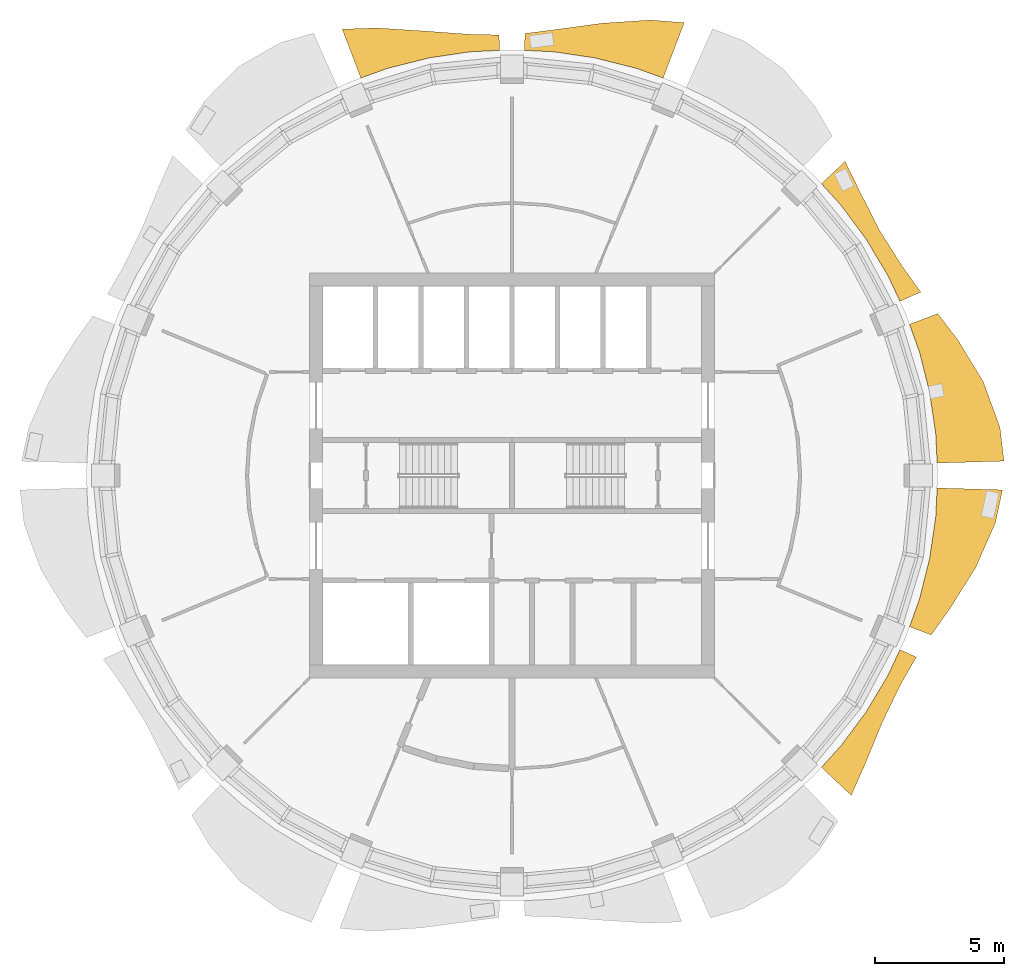
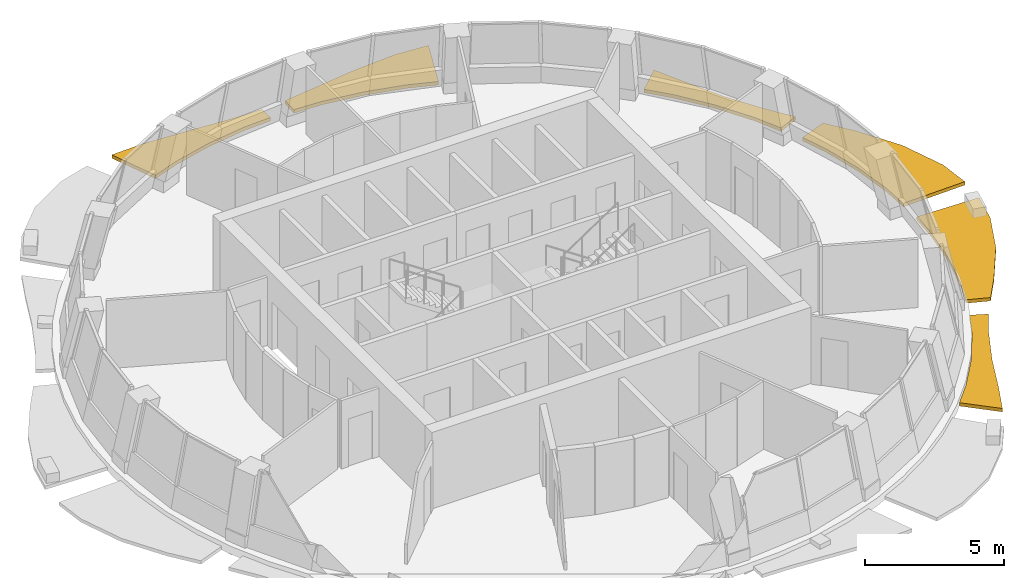
# One storey, part 10 of 11: 6 shading devices.
"""IFC4 building model written with IfcOpenShell, lengths in metres."""

from ifc_helpers import new_model, si_unit, direction, frame, origin, place, context, subcontext, project, spatial, polyline, outline, extrude, material, type_object, element, save


model = new_model("IFC4")

# Units and contexts
model_context = context("Model", 3, precision=1e-05, world=origin(), true_north=direction((0.0, 1.0)))
body_context = subcontext(model_context, "Body", "Model", "MODEL_VIEW")
ifc_project = project(units=[si_unit("LENGTHUNIT", "METRE"), si_unit("AREAUNIT", "SQUARE_METRE"), si_unit("VOLUMEUNIT", "CUBIC_METRE"), si_unit("PLANEANGLEUNIT", "RADIAN"), si_unit("MASSUNIT", "GRAM", prefix="KILO")], contexts=[model_context])

# Site, building, storey
site_placement = place(None, origin())
site = spatial("IfcSite", under=ifc_project, at=site_placement, CompositionType="ELEMENT")
building_placement = place(site_placement, origin())
building = spatial("IfcBuilding", under=site, at=building_placement, Name="Polderwave Tower", CompositionType="ELEMENT")
storey_placement = place(building_placement, frame((0.0, 0.0, 214.449951171875)))
storey = spatial("IfcBuildingStorey", under=building, at=storey_placement, Name="L58", CompositionType="ELEMENT", Elevation=214.449951171875)

# Shading devices
ifc_material = material(Name="Terracotta", Category="masonry")
shading_device_type = type_object("IfcShadingDeviceType", Name="Terracotta sunshade band", PredefinedType="USERDEFINED", material=ifc_material)
shading_device_1_placement = place(storey_placement, frame((0.0, 0.0, -0.349853515625)))
element("IfcShadingDevice", 1, at=shading_device_1_placement, inside=storey, type_object=shading_device_type, Name="Sunshade band L58 1", ObjectType="SUNSHADE", PredefinedType="USERDEFINED", context=body_context, shape_type="SweptSolid", body=[
    extrude(outline(polyline([(16.526123046875, 0.483642578125), (16.47021484375, 1.622314453125), (16.23193359375, 3.228759765625), (15.83740234375, 4.80419921875), (15.453369140625, 5.87744140625), (16.547119140625, 6.29345703125), (17.339111328125, 5.259765625), (18.32080078125, 3.644287109375), (18.969970703125, 1.868408203125), (19.125, 0.559814453125), (16.526123046875, 0.483642578125)])), origin(), (0.0, 0.0, 1.0), 0.14990234375),
])
shading_device_2_placement = place(storey_placement, frame((0.0, 0.0, -0.349853515625)))
element("IfcShadingDevice", 2, at=shading_device_2_placement, inside=storey, type_object=shading_device_type, Name="Sunshade band L58 2", ObjectType="SUNSHADE", PredefinedType="USERDEFINED", context=body_context, shape_type="SweptSolid", body=[
    extrude(outline(polyline([(15.083251953125, 6.77099609375), (14.595703125, 7.801513671875), (13.7607421875, 9.194580078125), (12.793212890625, 10.499267578125), (12.02783203125, 11.34375), (12.948486328125, 12.212158203125), (13.50048828125, 11.07958984375), (14.281005859375, 9.542236328125), (15.18212890625, 8.114990234375), (15.891357421875, 7.134033203125), (15.083251953125, 6.77099609375)])), origin(), (0.0, 0.0, 1.0), 0.14990234375),
])
shading_device_3_placement = place(storey_placement, frame((0.0, 0.0, -0.349853515625)))
element("IfcShadingDevice", 3, at=shading_device_3_placement, inside=storey, type_object=shading_device_type, Name="Sunshade band L58 4", ObjectType="SUNSHADE", PredefinedType="USERDEFINED", context=body_context, shape_type="SweptSolid", body=[
    extrude(outline(polyline([(5.87744140625, 15.453369140625), (4.80419921875, 15.83740234375), (3.228759765625, 16.23193359375), (1.622314453125, 16.47021484375), (0.483642578125, 16.526123046875), (0.5029296875, 17.18359375), (1.70751953125, 17.337646484375), (3.4970703125, 17.580322265625), (5.37158203125, 17.707275390625), (6.6953125, 17.60302734375), (5.87744140625, 15.453369140625)])), origin(), (0.0, 0.0, 1.0), 0.14990234375),
])
shading_device_4_placement = place(storey_placement, frame((0.0, 0.0, -0.349853515625)))
element("IfcShadingDevice", 4, at=shading_device_4_placement, inside=storey, type_object=shading_device_type, Name="Sunshade band L58 5", ObjectType="SUNSHADE", PredefinedType="USERDEFINED", context=body_context, shape_type="SweptSolid", body=[
    extrude(outline(polyline([(-0.483642578125, 16.526123046875), (-1.622314453125, 16.47021484375), (-3.228759765625, 16.23193359375), (-4.80419921875, 15.83740234375), (-5.87744140625, 15.453369140625), (-6.59912109375, 17.3505859375), (-5.277587890625, 17.39794921875), (-3.4375, 17.28173828125), (-1.689697265625, 17.1552734375), (-0.501220703125, 17.1259765625), (-0.483642578125, 16.526123046875)])), origin(), (0.0, 0.0, 1.0), 0.14990234375),
])
shading_device_5_placement = place(storey_placement, frame((0.0, 0.0, -0.349853515625)))
element("IfcShadingDevice", 5, at=shading_device_5_placement, inside=storey, type_object=shading_device_type, Name="Sunshade band L58 15", ObjectType="SUNSHADE", PredefinedType="USERDEFINED", context=body_context, shape_type="SweptSolid", body=[
    extrude(outline(polyline([(12.02783203125, -11.34375), (12.793212890625, -10.499267578125), (13.7607421875, -9.194580078125), (14.595703125, -7.801513671875), (15.083251953125, -6.77099609375), (15.718994140625, -7.056640625), (15.12548828125, -8.084716796875), (14.385986328125, -9.6123046875), (13.71240234375, -11.253662109375), (13.1845703125, -12.434814453125), (12.02783203125, -11.34375)])), origin(), (0.0, 0.0, 1.0), 0.14990234375),
])
shading_device_6_placement = place(storey_placement, frame((0.0, 0.0, -0.349853515625)))
element("IfcShadingDevice", 6, at=shading_device_6_placement, inside=storey, type_object=shading_device_type, Name="Sunshade band L58 16", ObjectType="SUNSHADE", PredefinedType="USERDEFINED", context=body_context, shape_type="SweptSolid", body=[
    extrude(outline(polyline([(15.453369140625, -5.87744140625), (15.83740234375, -4.80419921875), (16.23193359375, -3.228759765625), (16.47021484375, -1.622314453125), (16.526123046875, -0.483642578125), (19.0673828125, -0.55810546875), (18.78759765625, -1.850341796875), (18.022216796875, -3.584716796875), (17.029541015625, -5.166015625), (16.29443359375, -6.197509765625), (15.453369140625, -5.87744140625)])), origin(), (0.0, 0.0, 1.0), 0.14990234375),
])

save(model, "model.ifc")
